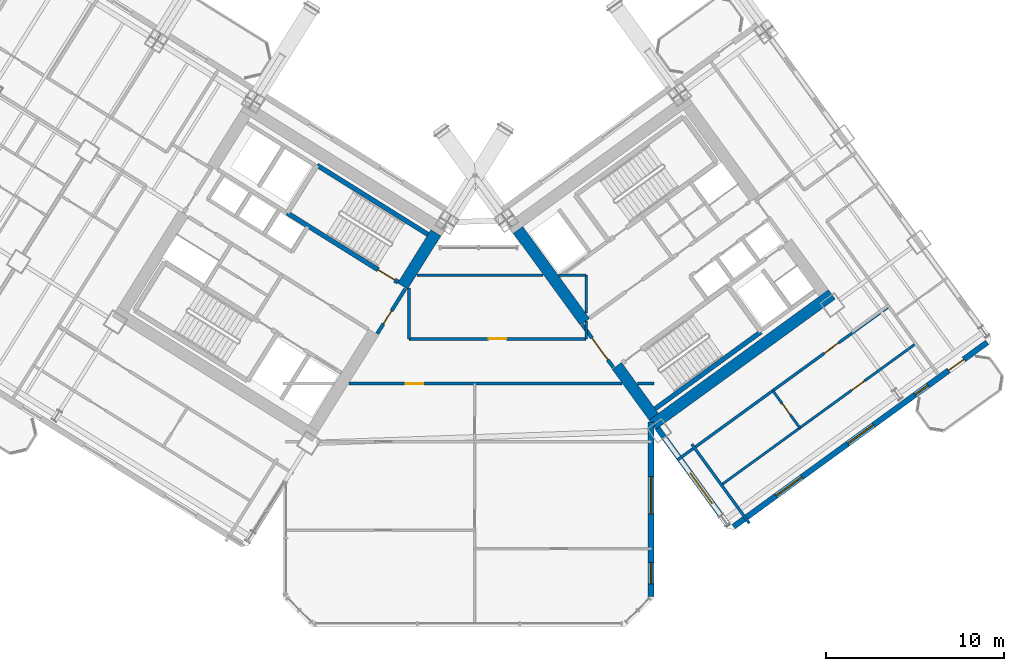
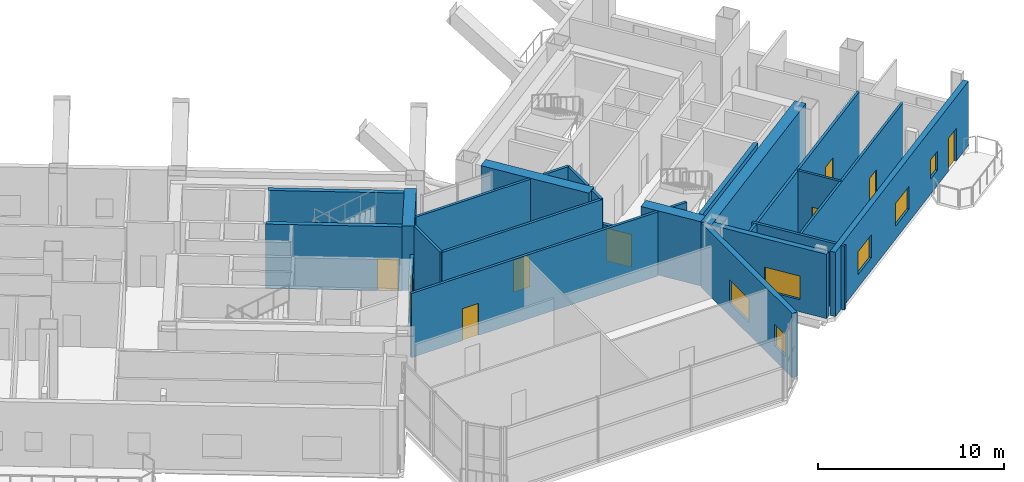
# One storey, part 24 of 30: 24 walls, 9 doors, 6 windows, 15 openings.
"""IFC4 building model written with IfcOpenShell, lengths in metres."""

from ifc_helpers import new_model, si_unit, direction, frame, frame_2d, origin, place, context, subcontext, project, spatial, rectangle, extrude, source, transform, mapped, material, layer, layer_set, type_object, element, fill, save


model = new_model("IFC4")

# Units and contexts
model_context = context("Model", 3, precision=1e-05, world=origin(), true_north=direction((0.0, 1.0)))
body_context = subcontext(model_context, "Body", "Model", "MODEL_VIEW")
ifc_project = project(units=[si_unit("LENGTHUNIT", "METRE"), si_unit("AREAUNIT", "SQUARE_METRE"), si_unit("VOLUMEUNIT", "CUBIC_METRE"), si_unit("PLANEANGLEUNIT", "RADIAN"), si_unit("MASSUNIT", "GRAM", prefix="KILO")], contexts=[model_context])

# Site, building, storey
site_placement = place(None, origin())
site = spatial("IfcSite", under=ifc_project, at=site_placement, CompositionType="ELEMENT")
building_placement = place(site_placement, origin())
building = spatial("IfcBuilding", under=site, at=building_placement, Name="Tlacorven Tower", CompositionType="ELEMENT")
storey_placement = place(building_placement, frame((0.0, 0.0, 67.199951171875)))
storey = spatial("IfcBuildingStorey", under=building, at=storey_placement, Name="L17", CompositionType="ELEMENT", Elevation=67.199951171875)

# Walls
ifc_material_1 = material(Name="Concrete C60/75", Category="concrete")
ifc_layer_1 = layer(ifc_material_1, 0.64990234375)
ifc_layer_set_1 = layer_set([ifc_layer_1], Name="Concrete C60/75")
wall_type_1 = type_object("IfcWallType", Name="WL-COR-650", PredefinedType="SHEAR", material=ifc_layer_set_1)
wall_1_placement = place(storey_placement, frame((40.167724609375, 23.880126953125, 0.0), z_axis=(0.0, 0.0, 1.0), x_axis=(-0.529893103397, -0.8480644427, 0.0)))
element("IfcWall", 1, at=wall_1_placement, inside=storey, type_object=wall_type_1, Name="L17 W core end wall E1.1", PredefinedType="SHEAR", context=body_context, shape_type="SweptSolid", body=[
    extrude(rectangle(XDim=3.525146484375, YDim=0.64990234375, at=frame_2d((1.7626953125, 0.0))), origin(), (0.0, 0.0, 1.0), 4.219970703125),
])
wall_2_placement = place(storey_placement, frame((52.318359375, 13.1103515625, 0.0), z_axis=(0.0, 0.0, 1.0), x_axis=(0.809019445368, 0.587781878776, 0.0)))
element("IfcWall", 2, at=wall_2_placement, inside=storey, type_object=wall_type_1, Name="L17 E core shear wall S1", PredefinedType="SHEAR", context=body_context, shape_type="SweptSolid", body=[
    extrude(rectangle(XDim=12.43994140625, YDim=0.64990234375, at=frame_2d((6.219970703125, 0.0))), origin(), (0.0, 0.0, 1.0), 4.219970703125),
])
wall_3_placement = place(storey_placement, frame((52.390380859375, 13.564208984375, 0.0), z_axis=(0.0, 0.0, 1.0), x_axis=(-0.58779688989, 0.809008539037, 0.0)))
element("IfcWall", 3, at=wall_3_placement, inside=storey, type_object=wall_type_1, Name="L17 E core end wall E1.1", PredefinedType="SHEAR", context=body_context, shape_type="SweptSolid", body=[
    extrude(rectangle(XDim=3.525146484375, YDim=0.64990234375, at=frame_2d((1.7626953125, 0.0))), origin(), (0.0, 0.0, 1.0), 4.219970703125),
])
wall_4_placement = place(storey_placement, frame((48.525634765625, 18.883544921875, 0.0), z_axis=(0.0, 0.0, 1.0), x_axis=(-0.58777996584, 0.809020835181, 0.0)))
element("IfcWall", 4, at=wall_4_placement, inside=storey, type_object=wall_type_1, Name="L17 E core end wall E1.2", PredefinedType="SHEAR", context=body_context, shape_type="SweptSolid", body=[
    extrude(rectangle(XDim=6.375, YDim=0.64990234375, at=frame_2d((3.1875, 0.0))), origin(), (0.0, 0.0, 1.0), 4.219970703125),
])

# Wall, opening, door
ifc_material_2 = material(Name="Gypsum plasterboard acoustic partition", Category="gypsum")
ifc_layer_2 = layer(ifc_material_2, 0.159912109375)
ifc_layer_set_2 = layer_set([ifc_layer_2], Name="Gypsum plasterboard acoustic partition")
wall_type_2 = type_object("IfcWallType", Name="WL-DEM-160", PredefinedType="PARTITIONING", material=ifc_layer_set_2)
wall_5_placement = place(storey_placement, frame((35.29638671875, 15.419921875, 0.0), z_axis=(0.0, 0.0, 1.0), x_axis=(1.0, 0.0, 0.0)))
wall_5 = element("IfcWall", 5, at=wall_5_placement, inside=storey, type_object=wall_type_2, Name="L17 Knuckle Corridor South Wall", PredefinedType="PARTITIONING", context=body_context, shape_type="SweptSolid", body=[
    extrude(rectangle(XDim=15.310546875, YDim=0.159912109375, at=frame_2d((7.6552734375, 0.0))), origin(), (0.0, 0.0, 1.0), 4.2099609375),
])
opening_1_placement = place(wall_5_placement, frame((3.17578125, 0.0, 0.0)))
opening_1 = element("IfcOpeningElement", 6, at=opening_1_placement, cuts=wall_5, Name="Opening D11", PredefinedType="OPENING", context=body_context, shape_type="SweptSolid", body=[
    extrude(rectangle(XDim=1.0, YDim=2.10009765625, at=frame_2d((0.5, 1.050048828125))), frame((0.0, 0.08984375, 0.0), z_axis=(0.0, -1.0, 0.0), x_axis=(1.0, 0.0, 0.0)), (0.0, 0.0, 1.0), 0.179931640625),
])
ifc_material_3 = material(Name="Fire-rated steel door assembly", Category="steel")
door_type_1 = type_object("IfcDoorType", Name="DR-FLT-FD60-1000", OperationType="NOTDEFINED", PredefinedType="DOOR", material=ifc_material_3)
shared_shape_1 = source(origin(), body_context, "Body", "SweptSolid", [
    extrude(rectangle(XDim=1.0, YDim=2.10009765625, at=frame_2d((0.5, 1.050048828125))), frame((0.0, 0.02490234375, 0.0), z_axis=(0.0, -1.0, 0.0), x_axis=(1.0, 0.0, 0.0)), (0.0, 0.0, 1.0), 0.050048828125),
])
door_1_placement = place(opening_1_placement, frame((1.0, 0.0, 0.0), z_axis=(0.0, 0.0, 1.0), x_axis=(-1.0, 0.0, 0.0)))
door_1 = element("IfcDoor", 7, at=door_1_placement, inside=storey, type_object=door_type_1, Name="L17 door 051", OperationType="SINGLE_SWING_RIGHT", OverallHeight=2.10009765625, OverallWidth=1.0, PredefinedType="DOOR", context=body_context, shape_type="MappedRepresentation", body=[
    mapped(shared_shape_1, transform((0.0, 0.0, 0.0), scale=1.0)),
])
fill(opening_1, door_1)

# Wall
wall_6_placement = place(storey_placement, frame((51.477294921875, 15.419921875, 0.0), z_axis=(0.0, 0.0, 1.0), x_axis=(1.0, 0.0, 0.0)))
element("IfcWall", 8, at=wall_6_placement, inside=storey, type_object=wall_type_2, Name="L17 Knuckle Corridor South Wall", PredefinedType="PARTITIONING", context=body_context, shape_type="SweptSolid", body=[
    extrude(rectangle(XDim=0.922607421875, YDim=0.159912109375, at=frame_2d((0.46142578125, 0.0))), origin(), (0.0, 0.0, 1.0), 4.2099609375),
])

# Wall, opening, door
wall_7_placement = place(storey_placement, frame((38.64990234375, 17.929931640625, 0.0), z_axis=(0.0, 0.0, 1.0), x_axis=(1.0, 0.0, 0.0)))
wall_7 = element("IfcWall", 9, at=wall_7_placement, inside=storey, type_object=wall_type_2, Name="L17 partition 79", PredefinedType="PARTITIONING", context=body_context, shape_type="SweptSolid", body=[
    extrude(rectangle(XDim=9.9501953125, YDim=0.159912109375, at=frame_2d((4.97509765625, 0.0))), origin(), (0.0, 0.0, 1.0), 4.2099609375),
])
opening_2_placement = place(wall_7_placement, frame((4.47509765625, 0.0, 0.0)))
opening_2 = element("IfcOpeningElement", 10, at=opening_2_placement, cuts=wall_7, Name="Opening D11", PredefinedType="OPENING", context=body_context, shape_type="SweptSolid", body=[
    extrude(rectangle(XDim=1.0, YDim=2.10009765625, at=frame_2d((0.5, 1.050048828125))), frame((0.0, 0.08984375, 0.0), z_axis=(0.0, -1.0, 0.0), x_axis=(1.0, 0.0, 0.0)), (0.0, 0.0, 1.0), 0.179931640625),
])
door_2_placement = place(opening_2_placement, origin())
door_2 = element("IfcDoor", 11, at=door_2_placement, inside=storey, type_object=door_type_1, Name="L17 door 045", OperationType="SINGLE_SWING_RIGHT", OverallHeight=2.10009765625, OverallWidth=1.0, PredefinedType="DOOR", context=body_context, shape_type="MappedRepresentation", body=[
    mapped(shared_shape_1, transform((0.0, 0.0, 0.0), scale=1.0)),
])
fill(opening_2, door_2)

# Walls
wall_8_placement = place(storey_placement, frame((38.64990234375, 17.929931640625, 0.0), z_axis=(0.0, 0.0, 1.0), x_axis=(0.0, 1.0, 0.0)))
element("IfcWall", 12, at=wall_8_placement, inside=storey, type_object=wall_type_2, Name="L17 partition 80", PredefinedType="PARTITIONING", context=body_context, shape_type="SweptSolid", body=[
    extrude(rectangle(XDim=2.85693359375, YDim=0.159912109375, at=frame_2d((1.428466796875, 0.0))), origin(), (0.0, 0.0, 1.0), 4.2099609375),
])
wall_9_placement = place(storey_placement, frame((48.60009765625, 17.929931640625, 0.0), z_axis=(0.0, 0.0, 1.0), x_axis=(0.0, 1.0, 0.0)))
element("IfcWall", 13, at=wall_9_placement, inside=storey, type_object=wall_type_2, Name="L17 partition 81", PredefinedType="PARTITIONING", context=body_context, shape_type="SweptSolid", body=[
    extrude(rectangle(XDim=0.99267578125, YDim=0.159912109375, at=frame_2d((0.496337890625, 0.0))), origin(), (0.0, 0.0, 1.0), 4.2099609375),
])
wall_10_placement = place(storey_placement, frame((48.60009765625, 19.380126953125, 0.0), z_axis=(0.0, 0.0, 1.0), x_axis=(0.0, 1.0, 0.0)))
element("IfcWall", 14, at=wall_10_placement, inside=storey, type_object=wall_type_2, Name="L17 partition 81", PredefinedType="PARTITIONING", context=body_context, shape_type="SweptSolid", body=[
    extrude(rectangle(XDim=2.119873046875, YDim=0.159912109375, at=frame_2d((1.06005859375, 0.0))), origin(), (0.0, 0.0, 1.0), 4.2099609375),
])
wall_11_placement = place(storey_placement, frame((39.095458984375, 21.5, 0.0), z_axis=(0.0, 0.0, 1.0), x_axis=(1.0, 0.0, 0.0)))
element("IfcWall", 15, at=wall_11_placement, inside=storey, type_object=wall_type_2, Name="L17 partition 82", PredefinedType="PARTITIONING", context=body_context, shape_type="SweptSolid", body=[
    extrude(rectangle(XDim=7.09423828125, YDim=0.159912109375, at=frame_2d((3.547119140625, 0.0))), origin(), (0.0, 0.0, 1.0), 4.2099609375),
])
wall_12_placement = place(storey_placement, frame((47.059814453125, 21.5, 0.0), z_axis=(0.0, 0.0, 1.0), x_axis=(1.0, 0.0, 0.0)))
element("IfcWall", 16, at=wall_12_placement, inside=storey, type_object=wall_type_2, Name="L17 partition 82", PredefinedType="PARTITIONING", context=body_context, shape_type="SweptSolid", body=[
    extrude(rectangle(XDim=1.540283203125, YDim=0.159912109375, at=frame_2d((0.77001953125, 0.0))), origin(), (0.0, 0.0, 1.0), 4.2099609375),
])

# Wall, opening, door
wall_13_placement = place(storey_placement, frame((53.70458984375, 11.1259765625, 0.0), z_axis=(0.0, 0.0, 1.0), x_axis=(0.809014504436, 0.587788679384, 0.0)))
wall_13 = element("IfcWall", 17, at=wall_13_placement, inside=storey, type_object=wall_type_2, Name="L17 partition 98", PredefinedType="PARTITIONING", context=body_context, shape_type="SweptSolid", body=[
    extrude(rectangle(XDim=14.669921875, YDim=0.159912109375, at=frame_2d((7.3349609375, 0.0))), origin(), (0.0, 0.0, 1.0), 4.2099609375),
])
opening_3_placement = place(wall_13_placement, frame((10.199951171875, 0.0, 0.0)))
opening_3 = element("IfcOpeningElement", 18, at=opening_3_placement, cuts=wall_13, Name="Opening D11", PredefinedType="OPENING", context=body_context, shape_type="SweptSolid", body=[
    extrude(rectangle(XDim=1.0, YDim=2.10009765625, at=frame_2d((0.5, 1.050048828125))), frame((0.0, 0.08984375, 0.0), z_axis=(0.0, -1.0, 0.0), x_axis=(1.0, 0.0, 0.0)), (0.0, 0.0, 1.0), 0.179931640625),
])
door_3_placement = place(opening_3_placement, origin())
door_3 = element("IfcDoor", 19, at=door_3_placement, inside=storey, type_object=door_type_1, Name="L17 door 059", OperationType="SINGLE_SWING_RIGHT", OverallHeight=2.10009765625, OverallWidth=1.0, PredefinedType="DOOR", context=body_context, shape_type="MappedRepresentation", body=[
    mapped(shared_shape_1, transform((0.0, 0.0, 0.0), scale=1.0)),
])
fill(opening_3, door_3)

# Wall
wall_14_placement = place(storey_placement, frame((57.747314453125, 7.586181640625, 0.0), z_axis=(0.0, 0.0, 1.0), x_axis=(-0.587784893399, 0.809017255126, 0.0)))
element("IfcWall", 20, at=wall_14_placement, inside=storey, type_object=wall_type_2, Name="L17 EC West Throat Wall", PredefinedType="PARTITIONING", context=body_context, shape_type="SweptSolid", body=[
    extrude(rectangle(XDim=5.480224609375, YDim=0.159912109375, at=frame_2d((2.740234375, 0.0))), origin(), (0.0, 0.0, 1.0), 4.2099609375),
])

# Wall, openings, door, windows
ifc_material_4 = material(Name="Precast concrete C45/55", Category="concrete")
ifc_layer_3 = layer(ifc_material_4, 0.320068359375)
ifc_layer_set_3 = layer_set([ifc_layer_3], Name="Precast concrete C45/55")
wall_type_3 = type_object("IfcWallType", Name="WL-EXT-320", PredefinedType="STANDARD", material=ifc_layer_set_3)
wall_15_placement = place(storey_placement, frame((71.097900390625, 17.73095703125, 0.0), z_axis=(0.0, 0.0, 1.0), x_axis=(-0.809021120468, -0.587779573171, 0.0)))
wall_15 = element("IfcWall", 21, at=wall_15_placement, inside=storey, type_object=wall_type_3, Name="L17 Masonry-Frame Recessed Facade Wall 6", PredefinedType="STANDARD", context=body_context, shape_type="SweptSolid", body=[
    extrude(rectangle(XDim=17.587646484375, YDim=0.320068359375, at=frame_2d((8.7939453125, 0.0))), origin(), (0.0, 0.0, 1.0), 4.219970703125),
])
opening_4_placement = place(wall_15_placement, frame((1.623779296875, 0.0, 0.0)))
opening_4 = element("IfcOpeningElement", 22, at=opening_4_placement, cuts=wall_15, Name="Opening D06", PredefinedType="OPENING", context=body_context, shape_type="SweptSolid", body=[
    extrude(rectangle(XDim=1.050048828125, YDim=2.14990234375, at=frame_2d((0.52490234375, 1.074951171875))), frame((0.0, 0.169921875, 0.0), z_axis=(0.0, -1.0, 0.0), x_axis=(1.0, 0.0, 0.0)), (0.0, 0.0, 1.0), 0.340087890625),
])
opening_5_placement = place(wall_15_placement, frame((4.103759765625, 0.0, 1.0)))
opening_5 = element("IfcOpeningElement", 23, at=opening_5_placement, cuts=wall_15, Name="Opening WN05", PredefinedType="OPENING", context=body_context, shape_type="SweptSolid", body=[
    extrude(rectangle(XDim=0.89990234375, YDim=1.25, at=frame_2d((0.449951171875, 0.625))), frame((0.0, 0.169921875, 0.0), z_axis=(0.0, -1.0, 0.0), x_axis=(1.0, 0.0, 0.0)), (0.0, 0.0, 1.0), 0.340087890625),
])
opening_6_placement = place(wall_15_placement, frame((7.878662109375, 0.0, 0.85009765625)))
opening_6 = element("IfcOpeningElement", 24, at=opening_6_placement, cuts=wall_15, Name="Opening WN01", PredefinedType="OPENING", context=body_context, shape_type="SweptSolid", body=[
    extrude(rectangle(XDim=1.800048828125, YDim=1.5, at=frame_2d((0.89990234375, 0.75))), frame((0.0, 0.169921875, 0.0), z_axis=(0.0, -1.0, 0.0), x_axis=(1.0, 0.0, 0.0)), (0.0, 0.0, 1.0), 0.340087890625),
])
opening_7_placement = place(wall_15_placement, frame((12.8486328125, 0.0, 0.85009765625)))
opening_7 = element("IfcOpeningElement", 25, at=opening_7_placement, cuts=wall_15, Name="Opening WN01", PredefinedType="OPENING", context=body_context, shape_type="SweptSolid", body=[
    extrude(rectangle(XDim=1.800048828125, YDim=1.5, at=frame_2d((0.89990234375, 0.75))), frame((0.0, 0.169921875, 0.0), z_axis=(0.0, -1.0, 0.0), x_axis=(1.0, 0.0, 0.0)), (0.0, 0.0, 1.0), 0.340087890625),
])
ifc_material_5 = material(Name="Powder-coated aluminium and timber door", Category="wood")
door_type_2 = type_object("IfcDoorType", Name="DR-EXT-BALC-1050", OperationType="NOTDEFINED", PredefinedType="DOOR", material=ifc_material_5)
shared_shape_2 = source(origin(), body_context, "Body", "SweptSolid", [
    extrude(rectangle(XDim=1.050048828125, YDim=2.14990234375, at=frame_2d((0.52490234375, 1.074951171875))), frame((0.0, 0.02490234375, 0.0), z_axis=(0.0, -1.0, 0.0), x_axis=(1.0, 0.0, 0.0)), (0.0, 0.0, 1.0), 0.050048828125),
])
door_4_placement = place(opening_4_placement, origin())
door_4 = element("IfcDoor", 26, at=door_4_placement, inside=storey, type_object=door_type_2, Name="L17 Outdoor Access Door BAL-L17-E-OUT", OperationType="SINGLE_SWING_LEFT", OverallHeight=2.14990234375, OverallWidth=1.050048828125, PredefinedType="DOOR", context=body_context, shape_type="MappedRepresentation", body=[
    mapped(shared_shape_2, transform((0.0, 0.0, 0.0), scale=1.0)),
])
fill(opening_4, door_4)
ifc_material_6 = material(Name="Dark solar low-E double glazing in anodised aluminium frame", Category="aluminium")
window_type_1 = type_object("IfcWindowType", Name="WN-APT-1800X1650", PartitioningType="SINGLE_PANEL", PredefinedType="WINDOW", material=ifc_material_6)
shared_shape_3 = source(origin(), body_context, "Body", "SweptSolid", [
    extrude(rectangle(XDim=1.800048828125, YDim=1.5, at=frame_2d((0.89990234375, 0.75))), frame((0.0, 0.030029296875, 0.0), z_axis=(0.0, -1.0, 0.0), x_axis=(1.0, 0.0, 0.0)), (0.0, 0.0, 1.0), 0.06005859375),
])
window_1_placement = place(opening_6_placement, origin())
window_1 = element("IfcWindow", 27, at=window_1_placement, inside=storey, type_object=window_type_1, Name="L17 Recessed Masonry-Frame Window L17-06.2", OverallHeight=1.5, OverallWidth=1.800048828125, PartitioningType="SINGLE_PANEL", PredefinedType="WINDOW", context=body_context, shape_type="MappedRepresentation", body=[
    mapped(shared_shape_3, transform((0.0, 0.0, 0.0), scale=1.0)),
])
fill(opening_6, window_1)
window_2_placement = place(opening_7_placement, origin())
window_2 = element("IfcWindow", 28, at=window_2_placement, inside=storey, type_object=window_type_1, Name="L17 Recessed Masonry-Frame Window L17-06.3", OverallHeight=1.5, OverallWidth=1.800048828125, PartitioningType="SINGLE_PANEL", PredefinedType="WINDOW", context=body_context, shape_type="MappedRepresentation", body=[
    mapped(shared_shape_3, transform((0.0, 0.0, 0.0), scale=1.0)),
])
fill(opening_7, window_2)
window_type_2 = type_object("IfcWindowType", Name="WN-APT-0900X1350", PartitioningType="SINGLE_PANEL", PredefinedType="WINDOW", material=ifc_material_6)
shared_shape_4 = source(origin(), body_context, "Body", "SweptSolid", [
    extrude(rectangle(XDim=0.89990234375, YDim=1.25, at=frame_2d((0.449951171875, 0.625))), frame((0.0, 0.030029296875, 0.0), z_axis=(0.0, -1.0, 0.0), x_axis=(1.0, 0.0, 0.0)), (0.0, 0.0, 1.0), 0.06005859375),
])
window_3_placement = place(opening_5_placement, origin())
window_3 = element("IfcWindow", 29, at=window_3_placement, inside=storey, type_object=window_type_2, Name="L17 Recessed Masonry-Frame Window L17-06.1", OverallHeight=1.25, OverallWidth=0.89990234375, PartitioningType="SINGLE_PANEL", PredefinedType="WINDOW", context=body_context, shape_type="MappedRepresentation", body=[
    mapped(shared_shape_4, transform((0.0, 0.0, 0.0), scale=1.0)),
])
fill(opening_5, window_3)

# Wall, opening, window
wall_16_placement = place(storey_placement, frame((56.5810546875, 7.43896484375, 0.0), z_axis=(0.0, 0.0, 1.0), x_axis=(-0.587785875463, 0.809016541614, 0.0)))
wall_16 = element("IfcWall", 30, at=wall_16_placement, inside=storey, type_object=wall_type_3, Name="L17 Masonry-Frame Recessed Facade Wall 7", PredefinedType="STANDARD", context=body_context, shape_type="SweptSolid", body=[
    extrude(rectangle(XDim=6.773681640625, YDim=0.320068359375, at=frame_2d((3.38671875, 0.0))), origin(), (0.0, 0.0, 1.0), 4.219970703125),
])
opening_8_placement = place(wall_16_placement, frame((1.55615234375, 0.0, 0.800048828125)))
opening_8 = element("IfcOpeningElement", 31, at=opening_8_placement, cuts=wall_16, Name="Opening WN04", PredefinedType="OPENING", context=body_context, shape_type="SweptSolid", body=[
    extrude(rectangle(XDim=2.10009765625, YDim=1.550048828125, at=frame_2d((1.050048828125, 0.77490234375))), frame((0.0, 0.169921875, 0.0), z_axis=(0.0, -1.0, 0.0), x_axis=(1.0, 0.0, 0.0)), (0.0, 0.0, 1.0), 0.340087890625),
])
window_type_3 = type_object("IfcWindowType", Name="WN-APT-2100X1750", PartitioningType="SINGLE_PANEL", PredefinedType="WINDOW", material=ifc_material_6)
shared_shape_5 = source(origin(), body_context, "Body", "SweptSolid", [
    extrude(rectangle(XDim=2.10009765625, YDim=1.550048828125, at=frame_2d((1.050048828125, 0.77490234375))), frame((0.0, 0.030029296875, 0.0), z_axis=(0.0, -1.0, 0.0), x_axis=(1.0, 0.0, 0.0)), (0.0, 0.0, 1.0), 0.06005859375),
])
window_4_placement = place(opening_8_placement, origin())
window_4 = element("IfcWindow", 32, at=window_4_placement, inside=storey, type_object=window_type_3, Name="L17 Recessed Masonry-Frame Window L17-07.1", OverallHeight=1.550048828125, OverallWidth=2.10009765625, PartitioningType="SINGLE_PANEL", PredefinedType="WINDOW", context=body_context, shape_type="MappedRepresentation", body=[
    mapped(shared_shape_5, transform((0.0, 0.0, 0.0), scale=1.0)),
])
fill(opening_8, window_4)

# Wall, openings, windows
wall_17_placement = place(storey_placement, frame((52.239990234375, 13.260986328125, 0.0), z_axis=(0.0, 0.0, 1.0), x_axis=(0.0, -1.0, 0.0)))
wall_17 = element("IfcWall", 33, at=wall_17_placement, inside=storey, type_object=wall_type_3, Name="L17 Masonry-Frame Recessed Facade Wall 8", PredefinedType="STANDARD", context=body_context, shape_type="SweptSolid", body=[
    extrude(rectangle(XDim=9.794677734375, YDim=0.320068359375, at=frame_2d((4.8974609375, 0.0))), origin(), (0.0, 0.0, 1.0), 4.219970703125),
])
opening_9_placement = place(wall_17_placement, frame((3.058349609375, 0.0, 0.800048828125)))
opening_9 = element("IfcOpeningElement", 34, at=opening_9_placement, cuts=wall_17, Name="Opening WN04", PredefinedType="OPENING", context=body_context, shape_type="SweptSolid", body=[
    extrude(rectangle(XDim=2.10009765625, YDim=1.550048828125, at=frame_2d((1.050048828125, 0.77490234375))), frame((0.0, 0.169921875, 0.0), z_axis=(0.0, -1.0, 0.0), x_axis=(1.0, 0.0, 0.0)), (0.0, 0.0, 1.0), 0.340087890625),
])
opening_10_placement = place(wall_17_placement, frame((7.880126953125, 0.0, 0.949951171875)))
opening_10 = element("IfcOpeningElement", 35, at=opening_10_placement, cuts=wall_17, Name="Opening WN03", PredefinedType="OPENING", context=body_context, shape_type="SweptSolid", body=[
    extrude(rectangle(XDim=1.199951171875, YDim=1.39990234375, at=frame_2d((0.60009765625, 0.699951171875))), frame((0.0, 0.169921875, 0.0), z_axis=(0.0, -1.0, 0.0), x_axis=(1.0, 0.0, 0.0)), (0.0, 0.0, 1.0), 0.340087890625),
])
window_5_placement = place(opening_9_placement, origin())
window_5 = element("IfcWindow", 36, at=window_5_placement, inside=storey, type_object=window_type_3, Name="L17 Recessed Masonry-Frame Window L17-08.1", OverallHeight=1.550048828125, OverallWidth=2.10009765625, PartitioningType="SINGLE_PANEL", PredefinedType="WINDOW", context=body_context, shape_type="MappedRepresentation", body=[
    mapped(shared_shape_5, transform((0.0, 0.0, 0.0), scale=1.0)),
])
fill(opening_9, window_5)
window_type_4 = type_object("IfcWindowType", Name="WN-APT-1200X1500", PartitioningType="SINGLE_PANEL", PredefinedType="WINDOW", material=ifc_material_6)
shared_shape_6 = source(origin(), body_context, "Body", "SweptSolid", [
    extrude(rectangle(XDim=1.199951171875, YDim=1.39990234375, at=frame_2d((0.60009765625, 0.699951171875))), frame((0.0, 0.030029296875, 0.0), z_axis=(0.0, -1.0, 0.0), x_axis=(1.0, 0.0, 0.0)), (0.0, 0.0, 1.0), 0.06005859375),
])
window_6_placement = place(opening_10_placement, origin())
window_6 = element("IfcWindow", 37, at=window_6_placement, inside=storey, type_object=window_type_4, Name="L17 Recessed Masonry-Frame Window L17-08.2", OverallHeight=1.39990234375, OverallWidth=1.199951171875, PartitioningType="SINGLE_PANEL", PredefinedType="WINDOW", context=body_context, shape_type="MappedRepresentation", body=[
    mapped(shared_shape_6, transform((0.0, 0.0, 0.0), scale=1.0)),
])
fill(opening_10, window_6)

# Wall, opening, door
ifc_material_7 = material(Name="Moisture-resistant gypsum plumbing wall", Category="gypsum")
ifc_layer_4 = layer(ifc_material_7, 0.139892578125)
ifc_layer_set_4 = layer_set([ifc_layer_4], Name="Moisture-resistant gypsum plumbing wall")
wall_type_4 = type_object("IfcWallType", Name="WL-PLM-140", PredefinedType="PLUMBINGWALL", material=ifc_layer_set_4)
wall_18_placement = place(storey_placement, frame((56.24853515625, 9.78515625, 0.0), z_axis=(0.0, 0.0, 1.0), x_axis=(0.809011747655, 0.587792473715, 0.0)))
wall_18 = element("IfcWall", 38, at=wall_18_placement, inside=storey, type_object=wall_type_4, Name="L17 partition 100", PredefinedType="PLUMBINGWALL", context=body_context, shape_type="SweptSolid", body=[
    extrude(rectangle(XDim=13.400146484375, YDim=0.139892578125, at=frame_2d((6.7001953125, 0.0))), origin(), (0.0, 0.0, 1.0), 4.2099609375),
])
opening_11_placement = place(wall_18_placement, frame((8.93994140625, 0.0, 0.0)))
opening_11 = element("IfcOpeningElement", 39, at=opening_11_placement, cuts=wall_18, Name="Opening D12", PredefinedType="OPENING", context=body_context, shape_type="SweptSolid", body=[
    extrude(rectangle(XDim=0.919921875, YDim=2.080078125, at=frame_2d((0.4599609375, 1.0400390625))), frame((0.0, 0.080078125, 0.0), z_axis=(0.0, -1.0, 0.0), x_axis=(1.0, 0.0, 0.0)), (0.0, 0.0, 1.0), 0.159912109375),
])
door_type_3 = type_object("IfcDoorType", Name="DR-INT-ROOM-0920", OperationType="NOTDEFINED", PredefinedType="DOOR", material=ifc_material_5)
shared_shape_7 = source(origin(), body_context, "Body", "SweptSolid", [
    extrude(rectangle(XDim=0.919921875, YDim=2.080078125, at=frame_2d((0.4599609375, 1.0400390625))), frame((0.0, 0.02490234375, 0.0), z_axis=(0.0, -1.0, 0.0), x_axis=(1.0, 0.0, 0.0)), (0.0, 0.0, 1.0), 0.050048828125),
])
door_5_placement = place(opening_11_placement, origin())
door_5 = element("IfcDoor", 40, at=door_5_placement, inside=storey, type_object=door_type_3, Name="L17 door 060", OperationType="SINGLE_SWING_LEFT", OverallHeight=2.080078125, OverallWidth=0.919921875, PredefinedType="DOOR", context=body_context, shape_type="MappedRepresentation", body=[
    mapped(shared_shape_7, transform((0.0, 0.0, 0.0), scale=1.0)),
])
fill(opening_11, door_5)

wall_19_placement = place(storey_placement, frame((60.584716796875, 12.935791015625, 0.0), z_axis=(0.0, 0.0, 1.0), x_axis=(-0.587772116736, 0.809026537752, 0.0)))
wall_19 = element("IfcWall", 41, at=wall_19_placement, inside=storey, type_object=wall_type_4, Name="L17 partition 101", PredefinedType="PLUMBINGWALL", context=body_context, shape_type="SweptSolid", body=[
    extrude(rectangle(XDim=2.579833984375, YDim=0.139892578125, at=frame_2d((1.2900390625, 0.0))), origin(), (0.0, 0.0, 1.0), 4.2099609375),
])
opening_12_placement = place(wall_19_placement, frame((0.89990234375, 0.0, 0.0)))
opening_12 = element("IfcOpeningElement", 42, at=opening_12_placement, cuts=wall_19, Name="Opening D22", PredefinedType="OPENING", context=body_context, shape_type="SweptSolid", body=[
    extrude(rectangle(XDim=0.780029296875, YDim=2.050048828125, at=frame_2d((0.39013671875, 1.02490234375))), frame((0.0, 0.080078125, 0.0), z_axis=(0.0, -1.0, 0.0), x_axis=(1.0, 0.0, 0.0)), (0.0, 0.0, 1.0), 0.159912109375),
])
door_type_4 = type_object("IfcDoorType", Name="DR-INT-WET-0780", OperationType="NOTDEFINED", PredefinedType="DOOR", material=ifc_material_5)
shared_shape_8 = source(origin(), body_context, "Body", "SweptSolid", [
    extrude(rectangle(XDim=0.780029296875, YDim=2.050048828125, at=frame_2d((0.39013671875, 1.02490234375))), frame((0.0, 0.02490234375, 0.0), z_axis=(0.0, -1.0, 0.0), x_axis=(1.0, 0.0, 0.0)), (0.0, 0.0, 1.0), 0.050048828125),
])
door_6_placement = place(opening_12_placement, origin())
door_6 = element("IfcDoor", 43, at=door_6_placement, inside=storey, type_object=door_type_4, Name="L17 door 061", OperationType="SINGLE_SWING_RIGHT", OverallHeight=2.050048828125, OverallWidth=0.780029296875, PredefinedType="DOOR", context=body_context, shape_type="MappedRepresentation", body=[
    mapped(shared_shape_8, transform((0.0, 0.0, 0.0), scale=1.0)),
])
fill(opening_12, door_6)

ifc_material_8 = material(Name="Concrete C40/50", Category="concrete")
ifc_layer_5 = layer(ifc_material_8, 0.199951171875)
ifc_layer_set_5 = layer_set([ifc_layer_5], Name="Concrete C40/50")
wall_type_5 = type_object("IfcWallType", Name="WL-SHF-200", PredefinedType="STANDARD", material=ifc_layer_set_5)
wall_20_placement = place(storey_placement, frame((38.451416015625, 20.737060546875, 0.0), z_axis=(0.0, 0.0, 1.0), x_axis=(-0.529924799939, -0.848044637038, 0.0)))
wall_20 = element("IfcWall", 44, at=wall_20_placement, inside=storey, type_object=wall_type_5, Name="L17 partition 77", PredefinedType="STANDARD", context=body_context, shape_type="SweptSolid", body=[
    extrude(rectangle(XDim=2.9599609375, YDim=0.199951171875, at=frame_2d((1.47998046875, 0.0))), origin(), (0.0, 0.0, 1.0), 2.39501953125),
])
opening_13_placement = place(wall_20_placement, frame((1.4599609375, 0.0, 0.0)))
opening_13 = element("IfcOpeningElement", 45, at=opening_13_placement, cuts=wall_20, Name="Opening D19", PredefinedType="OPENING", context=body_context, shape_type="SweptSolid", body=[
    extrude(rectangle(XDim=0.860107421875, YDim=2.050048828125, at=frame_2d((0.43017578125, 1.02490234375))), frame((0.0, 0.10986328125, 0.0), z_axis=(0.0, -1.0, 0.0), x_axis=(1.0, 0.0, 0.0)), (0.0, 0.0, 1.0), 0.219970703125),
])
door_type_5 = type_object("IfcDoorType", Name="DR-RSR-FD60-0860", OperationType="NOTDEFINED", PredefinedType="DOOR", material=ifc_material_3)
shared_shape_9 = source(origin(), body_context, "Body", "SweptSolid", [
    extrude(rectangle(XDim=0.860107421875, YDim=2.050048828125, at=frame_2d((0.43017578125, 1.02490234375))), frame((0.0, 0.02490234375, 0.0), z_axis=(0.0, -1.0, 0.0), x_axis=(1.0, 0.0, 0.0)), (0.0, 0.0, 1.0), 0.050048828125),
])
door_7_placement = place(opening_13_placement, frame((0.860107421875, 0.0, 0.0), z_axis=(0.0, 0.0, 1.0), x_axis=(-1.0, 0.0, 0.0)))
door_7 = element("IfcDoor", 46, at=door_7_placement, inside=storey, type_object=door_type_5, Name="L17 door 046", OperationType="SINGLE_SWING_LEFT", OverallHeight=2.050048828125, OverallWidth=0.860107421875, PredefinedType="DOOR", context=body_context, shape_type="MappedRepresentation", body=[
    mapped(shared_shape_9, transform((0.0, 0.0, 0.0), scale=1.0)),
])
fill(opening_13, door_7)

wall_21_placement = place(storey_placement, frame((50.119140625, 16.3330078125, 0.0), z_axis=(0.0, 0.0, 1.0), x_axis=(-0.587749856981, 0.809042709391, 0.0)))
wall_21 = element("IfcWall", 47, at=wall_21_placement, inside=storey, type_object=wall_type_5, Name="L17 partition 83", PredefinedType="STANDARD", context=body_context, shape_type="SweptSolid", body=[
    extrude(rectangle(XDim=2.9599609375, YDim=0.199951171875, at=frame_2d((1.47998046875, 0.0))), origin(), (0.0, 0.0, 1.0), 2.39501953125),
])
opening_14_placement = place(wall_21_placement, frame((0.530029296875, 0.0, 0.0)))
opening_14 = element("IfcOpeningElement", 48, at=opening_14_placement, cuts=wall_21, Name="Opening D10", PredefinedType="OPENING", context=body_context, shape_type="SweptSolid", body=[
    extrude(rectangle(XDim=1.5, YDim=2.14990234375, at=frame_2d((0.75, 1.074951171875))), frame((0.0, 0.10986328125, 0.0), z_axis=(0.0, -1.0, 0.0), x_axis=(1.0, 0.0, 0.0)), (0.0, 0.0, 1.0), 0.219970703125),
])
door_type_6 = type_object("IfcDoorType", Name="DR-LOB-FD60-1500", OperationType="DOUBLE_DOOR_SINGLE_SWING", PredefinedType="DOOR", material=ifc_material_3)
shared_shape_10 = source(origin(), body_context, "Body", "SweptSolid", [
    extrude(rectangle(XDim=1.5, YDim=2.14990234375, at=frame_2d((0.75, 1.074951171875))), frame((0.0, 0.02490234375, 0.0), z_axis=(0.0, -1.0, 0.0), x_axis=(1.0, 0.0, 0.0)), (0.0, 0.0, 1.0), 0.050048828125),
])
door_8_placement = place(opening_14_placement, frame((1.5, 0.0, 0.0), z_axis=(0.0, 0.0, 1.0), x_axis=(-1.0, 0.0, 0.0)))
door_8 = element("IfcDoor", 49, at=door_8_placement, inside=storey, type_object=door_type_6, Name="L17 door 047", OperationType="DOUBLE_DOOR_SINGLE_SWING", OverallHeight=2.14990234375, OverallWidth=1.5, PredefinedType="DOOR", context=body_context, shape_type="MappedRepresentation", body=[
    mapped(shared_shape_10, transform((0.0, 0.0, 0.0), scale=1.0)),
])
fill(opening_14, door_8)

# Wall
ifc_material_9 = material(Name="Concrete C50/60", Category="concrete")
ifc_layer_6 = layer(ifc_material_9, 0.260009765625)
ifc_layer_set_6 = layer_set([ifc_layer_6], Name="Concrete C50/60")
wall_type_6 = type_object("IfcWallType", Name="WL-STW-260", PredefinedType="SHEAR", material=ifc_layer_set_6)
wall_22_placement = place(storey_placement, frame((39.720947265625, 23.787841796875, 0.0), z_axis=(0.0, 0.0, 1.0), x_axis=(-0.848054434086, 0.529909121291, 0.0)))
element("IfcWall", 50, at=wall_22_placement, inside=storey, type_object=wall_type_6, Name="L17 Stair W2 Far Shear Wall", PredefinedType="SHEAR", context=body_context, shape_type="SweptSolid", body=[
    extrude(rectangle(XDim=7.330078125, YDim=0.260009765625, at=frame_2d((3.6650390625, 0.0))), origin(), (0.0, 0.0, 1.0), 4.219970703125),
])

# Wall, opening, door
wall_23_placement = place(storey_placement, frame((38.04638671875, 21.10791015625, 0.0), z_axis=(0.0, 0.0, 1.0), x_axis=(-0.848054434086, 0.529909121291, 0.0)))
wall_23 = element("IfcWall", 51, at=wall_23_placement, inside=storey, type_object=wall_type_6, Name="L17 Stair W2 Lobby Shear Wall", PredefinedType="SHEAR", context=body_context, shape_type="SweptSolid", body=[
    extrude(rectangle(XDim=7.330078125, YDim=0.260009765625, at=frame_2d((3.6650390625, 0.0))), origin(), (0.0, 0.0, 1.0), 4.219970703125),
])
opening_15_placement = place(wall_23_placement, frame((0.219970703125, 0.0, 0.0)))
opening_15 = element("IfcOpeningElement", 52, at=opening_15_placement, cuts=wall_23, Name="Opening D07", PredefinedType="OPENING", context=body_context, shape_type="SweptSolid", body=[
    extrude(rectangle(XDim=1.10009765625, YDim=2.10009765625, at=frame_2d((0.550048828125, 1.050048828125))), frame((0.0, 0.14013671875, 0.0), z_axis=(0.0, -1.0, 0.0), x_axis=(1.0, 0.0, 0.0)), (0.0, 0.0, 1.0), 0.280029296875),
])
door_type_7 = type_object("IfcDoorType", Name="DR-STR-FD90-1100", OperationType="NOTDEFINED", PredefinedType="DOOR", material=ifc_material_3)
shared_shape_11 = source(origin(), body_context, "Body", "SweptSolid", [
    extrude(rectangle(XDim=1.10009765625, YDim=2.10009765625, at=frame_2d((0.550048828125, 1.050048828125))), frame((0.0, 0.02490234375, 0.0), z_axis=(0.0, -1.0, 0.0), x_axis=(1.0, 0.0, 0.0)), (0.0, 0.0, 1.0), 0.050048828125),
])
door_9_placement = place(opening_15_placement, origin())
door_9 = element("IfcDoor", 53, at=door_9_placement, inside=storey, type_object=door_type_7, Name="L17 Exit Stair W2 Fire Door", OperationType="SINGLE_SWING_RIGHT", OverallHeight=2.10009765625, OverallWidth=1.10009765625, PredefinedType="DOOR", context=body_context, shape_type="MappedRepresentation", body=[
    mapped(shared_shape_11, transform((0.0, 0.0, 0.0), scale=1.0)),
])
fill(opening_15, door_9)

# Wall
wall_24_placement = place(storey_placement, frame((52.47216796875, 14.01318359375, 0.0), z_axis=(0.0, 0.0, 1.0), x_axis=(0.809028366311, 0.587769599847, 0.0)))
element("IfcWall", 54, at=wall_24_placement, inside=storey, type_object=wall_type_6, Name="L17 Stair E2 Far Shear Wall", PredefinedType="SHEAR", context=body_context, shape_type="SweptSolid", body=[
    extrude(rectangle(XDim=7.330078125, YDim=0.260009765625, at=frame_2d((3.6650390625, 0.0))), origin(), (0.0, 0.0, 1.0), 4.219970703125),
])

save(model, "model.ifc")
